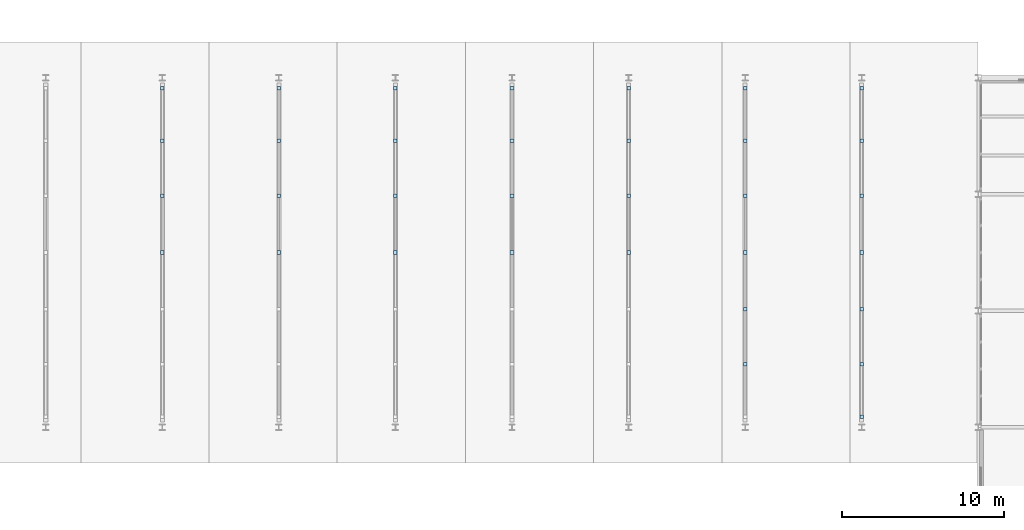
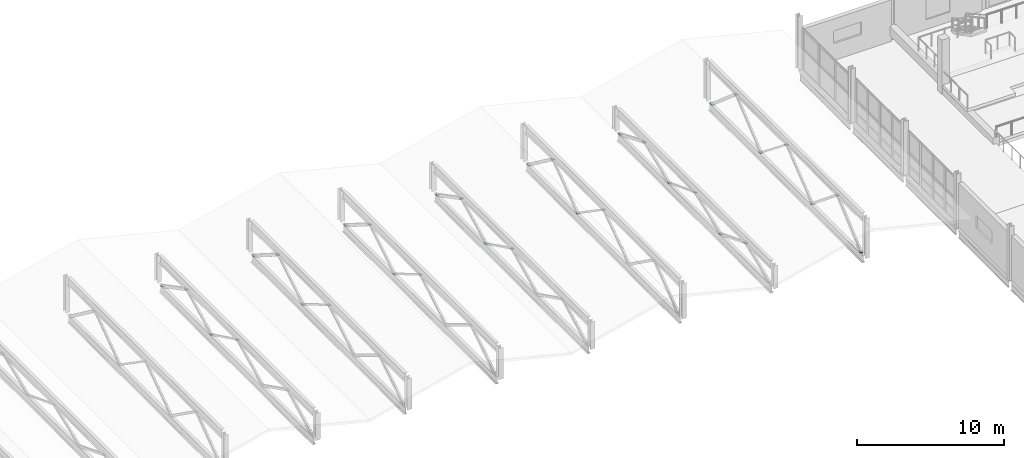
# One storey, part 85 of 123: 33 plates.
"""IFC4 building model written with IfcOpenShell, lengths in metres."""

from ifc_helpers import new_model, si_unit, direction, frame, origin, origin_2d, place, context, subcontext, project, spatial, rectangle, extrude, material, layer, layer_set, type_object, element, save


model = new_model("IFC4")

# Units and contexts
model_context = context("Model", 3, precision=1e-05, world=origin(), true_north=direction((0.0, 1.0)))
body_context = subcontext(model_context, "Body", "Model", "MODEL_VIEW")
ifc_project = project(units=[si_unit("LENGTHUNIT", "METRE"), si_unit("AREAUNIT", "SQUARE_METRE"), si_unit("VOLUMEUNIT", "CUBIC_METRE"), si_unit("PLANEANGLEUNIT", "RADIAN"), si_unit("MASSUNIT", "GRAM", prefix="KILO")], contexts=[model_context])

# Site, building, storey
site_placement = place(None, origin())
site = spatial("IfcSite", under=ifc_project, at=site_placement, CompositionType="ELEMENT")
building_placement = place(site_placement, origin())
building = spatial("IfcBuilding", under=site, at=building_placement, Name="Kalmorath City Hall", CompositionType="ELEMENT")
storey_placement = place(building_placement, frame((0.0, 0.0, 10.199951171875)))
storey = spatial("IfcBuildingStorey", under=building, at=storey_placement, Name="L02", CompositionType="ELEMENT", Elevation=10.199951171875)

# Plates
ifc_material = material(Name="Steel ASTM A572 Grade 50", Category="steel")
ifc_layer = layer(ifc_material, 0.02001953125)
ifc_layer_set = layer_set([ifc_layer], Name="Steel ASTM A572 Grade 50")
plate_type = type_object("IfcPlateType", Name="Steel HSS end-cap plate 220x220x20", PredefinedType="SHEET", material=ifc_layer_set)
for number, where, z_axis, x_axis, name in (
    (1, (64.800048828125, 32.39990234375, 1.68310546875), (0.0, 0.0, 1.0), (1.0, 0.0, 0.0), "Truss web node cap plate GP5-4.4"),
    (2, (64.800048828125, 35.89990234375, -0.01806640625), (0.0, 0.0, 1.0), (1.0, 0.0, 0.0), "Truss web node cap plate GP5-4.5"),
    (3, (64.800048828125, 39.300048828125, 1.68310546875), (0.0, 0.0, 1.0), (1.0, 0.0, 0.0), "Truss web node cap plate GP5-4.6"),
    (4, (64.800048828125, 42.550048828125, -0.01806640625), (0.0, 0.0, 1.0), (1.0, 0.0, 0.0), "Truss web node cap plate GP5-4.7"),
    (5, (72.0, 32.39990234375, 2.04296875), (0.0, 0.0, 1.0), (1.0, 0.0, 0.0), "Truss web node cap plate GP5-5.4"),
    (6, (72.0, 35.89990234375, -0.01806640625), (0.0, 0.0, 1.0), (1.0, 0.0, 0.0), "Truss web node cap plate GP5-5.5"),
    (7, (72.0, 39.300048828125, 2.04296875), (0.0, 0.0, 1.0), (1.0, 0.0, 0.0), "Truss web node cap plate GP5-5.6"),
    (8, (72.0, 42.550048828125, -0.01806640625), (0.0, 0.0, 1.0), (1.0, 0.0, 0.0), "Truss web node cap plate GP5-5.7"),
    (9, (79.199951171875, 32.39990234375, 2.04296875), (0.0, 0.0, 1.0), (1.0, 0.0, 0.0), "Truss web node cap plate GP5-6.4"),
    (10, (79.199951171875, 35.89990234375, -0.01806640625), (0.0, 0.0, 1.0), (1.0, 0.0, 0.0), "Truss web node cap plate GP5-6.5"),
    (11, (79.199951171875, 39.300048828125, 2.04296875), (0.0, 0.0, 1.0), (1.0, 0.0, 0.0), "Truss web node cap plate GP5-6.6"),
    (12, (79.199951171875, 42.550048828125, -0.01806640625), (0.0, 0.0, 1.0), (1.0, 0.0, 0.0), "Truss web node cap plate GP5-6.7"),
    (13, (86.39990234375, 32.39990234375, 1.68310546875), (0.0, 0.0, 1.0), (1.0, 0.0, 0.0), "Truss web node cap plate GP5-7.4"),
    (14, (86.39990234375, 35.89990234375, -0.01806640625), (0.0, 0.0, 1.0), (1.0, 0.0, 0.0), "Truss web node cap plate GP5-7.5"),
    (15, (86.39990234375, 39.300048828125, 1.68310546875), (0.0, 0.0, 1.0), (1.0, 0.0, 0.0), "Truss web node cap plate GP5-7.6"),
    (16, (86.39990234375, 42.550048828125, -0.01806640625), (0.0, 0.0, 1.0), (1.0, 0.0, 0.0), "Truss web node cap plate GP5-7.7"),
    (17, (93.60009765625, 32.39990234375, 2.403076171875), (0.0, 0.0, 1.0), (1.0, 0.0, 0.0), "Truss web node cap plate GP5-8.4"),
    (18, (93.60009765625, 35.89990234375, -0.01806640625), (0.0, 0.0, 1.0), (1.0, 0.0, 0.0), "Truss web node cap plate GP5-8.5"),
    (19, (93.60009765625, 39.300048828125, 2.403076171875), (0.0, 0.0, 1.0), (1.0, 0.0, 0.0), "Truss web node cap plate GP5-8.6"),
    (20, (93.60009765625, 42.550048828125, -0.01806640625), (0.0, 0.0, 1.0), (1.0, 0.0, 0.0), "Truss web node cap plate GP5-8.7"),
    (21, (100.800048828125, 25.5, 1.322998046875), (0.0, 0.0, 1.0), (1.0, 0.0, 0.0), "Truss web node cap plate GP5-9.2"),
    (22, (100.800048828125, 28.89990234375, -0.01806640625), (0.0, 0.0, 1.0), (1.0, 0.0, 0.0), "Truss web node cap plate GP5-9.3"),
    (23, (100.800048828125, 32.39990234375, 1.322998046875), (0.0, 0.0, 1.0), (1.0, 0.0, 0.0), "Truss web node cap plate GP5-9.4"),
    (24, (100.800048828125, 35.89990234375, -0.01806640625), (0.0, 0.0, 1.0), (1.0, 0.0, 0.0), "Truss web node cap plate GP5-9.5"),
    (25, (100.800048828125, 39.300048828125, 1.322998046875), (0.0, 0.0, 1.0), (1.0, 0.0, 0.0), "Truss web node cap plate GP5-9.6"),
    (26, (100.800048828125, 42.550048828125, -0.01806640625), (0.0, 0.0, 1.0), (1.0, 0.0, 0.0), "Truss web node cap plate GP5-9.7"),
    (27, (108.0, 22.25, -0.01806640625), (0.0, 0.0, 1.0), (1.0, 0.0, 0.0), "Truss web node cap plate GP5-10.1"),
    (28, (108.0, 25.5, 2.762939453125), (0.0, 0.0, 1.0), (1.0, 0.0, 0.0), "Truss web node cap plate GP5-10.2"),
    (29, (108.0, 28.89990234375, -0.01806640625), (0.0, 0.0, 1.0), (1.0, 0.0, 0.0), "Truss web node cap plate GP5-10.3"),
    (30, (108.0, 32.39990234375, 2.762939453125), (0.0, 0.0, 1.0), (1.0, 0.0, 0.0), "Truss web node cap plate GP5-10.4"),
    (31, (108.0, 35.89990234375, -0.01806640625), (0.0, 0.0, 1.0), (1.0, 0.0, 0.0), "Truss web node cap plate GP5-10.5"),
    (32, (108.0, 39.300048828125, 2.762939453125), (0.0, 0.0, 1.0), (1.0, 0.0, 0.0), "Truss web node cap plate GP5-10.6"),
    (33, (108.0, 42.550048828125, -0.01806640625), (0.0, 0.0, 1.0), (1.0, 0.0, 0.0), "Truss web node cap plate GP5-10.7"),
):
    element("IfcPlate", number, at=place(storey_placement, frame(where, z_axis=z_axis, x_axis=x_axis)), inside=storey, type_object=plate_type, Name=name, PredefinedType="SHEET", context=body_context, shape_type="SweptSolid", body=[
        extrude(rectangle(XDim=0.219970703125, YDim=0.219970703125, at=origin_2d()), origin(), (0.0, 0.0, 1.0), 0.02001953125),
    ])

save(model, "model.ifc")
